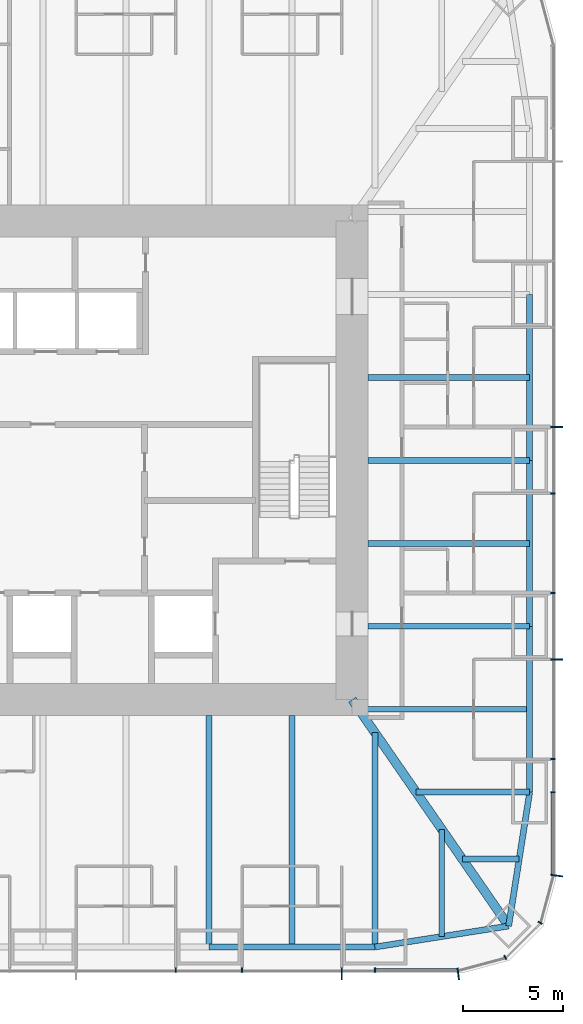
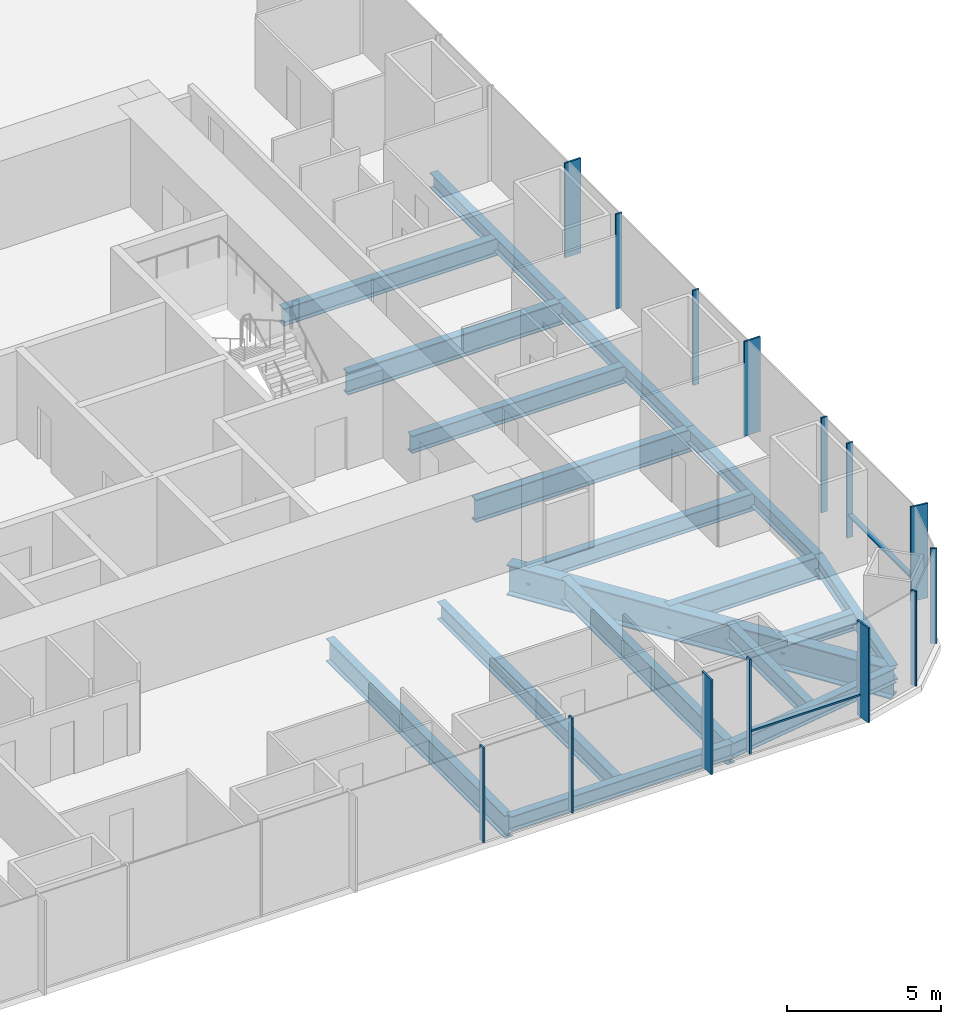
# One storey, part 4 of 13: 18 beams, 16 members, 3 elements without a shape of their own.
"""IFC4 building model written with IfcOpenShell, lengths in metres."""

from ifc_helpers import new_model, si_unit, direction, frame, origin, origin_2d, place, context, subcontext, project, spatial, rectangle, i_section, extrude, material, material_profile, profile_set, type_object, element, aggregate, save


model = new_model("IFC4")

# Units and contexts
model_context = context("Model", 3, precision=1e-05, world=origin(), true_north=direction((0.0, 1.0)))
body_context = subcontext(model_context, "Body", "Model", "MODEL_VIEW")
ifc_project = project(units=[si_unit("LENGTHUNIT", "METRE"), si_unit("AREAUNIT", "SQUARE_METRE"), si_unit("VOLUMEUNIT", "CUBIC_METRE"), si_unit("PLANEANGLEUNIT", "RADIAN"), si_unit("MASSUNIT", "GRAM", prefix="KILO")], contexts=[model_context])

# Site, building, storey
site_placement = place(None, origin())
site = spatial("IfcSite", under=ifc_project, at=site_placement, CompositionType="ELEMENT")
building_placement = place(site_placement, origin())
building = spatial("IfcBuilding", under=site, at=building_placement, Name="Khuree Lantern Residences", CompositionType="ELEMENT")
storey_placement = place(building_placement, frame((0.0, 0.0, 263.25)))
storey = spatial("IfcBuildingStorey", under=building, at=storey_placement, Name="L66", CompositionType="ELEMENT", Elevation=263.25)

# Beams
ifc_material_1 = material(Name="Steel S355", Category="steel")
ifc_material_profile_1 = material_profile(ifc_material_1, i_section(OverallWidth=0.300048828125, OverallDepth=0.68994140625, WebThickness=0.014404296875, FlangeThickness=0.027099609375, FilletRadius=0.027099609375, at=origin_2d()), Name="HE 700 A")
ifc_profile_set_1 = profile_set([ifc_material_profile_1], Name="Steel S355")
beam_type_1 = type_object("IfcBeamType", Name="B-35 SECONDARY BEAM HE 700 A", PredefinedType="BEAM", material=ifc_profile_set_1)
for number, where, z_axis, x_axis, name in (
    (1, (24.39990234375, 4.159912109375, -0.594970703125), (-1.0, 0.0, 0.0), (0.0, -1.0, 0.0), "Secondary beam E3"),
    (2, (24.39990234375, -4.159912109375, -0.594970703125), (-1.0, 0.0, 0.0), (0.0, -1.0, 0.0), "Secondary beam E4"),
):
    element("IfcBeam", number, at=place(storey_placement, frame(where, z_axis=z_axis, x_axis=x_axis)), inside=storey, type_object=beam_type_1, Name=name, PredefinedType="BEAM", context=body_context, shape_type="SweptSolid", body=[
        extrude(i_section(OverallWidth=0.300048828125, OverallDepth=0.68994140625, WebThickness=0.014404296875, FlangeThickness=0.027099609375, FilletRadius=0.027099609375, at=origin_2d()), origin(), (0.0, 0.0, 1.0), 8.099853515625),
    ])
beam_1_placement = place(storey_placement, frame((24.39990234375, -12.47998046875, -0.594970703125), z_axis=(-1.0, 0.0, 0.0), x_axis=(0.0, -1.0, 0.0)))
element("IfcBeam", 3, at=beam_1_placement, inside=storey, type_object=beam_type_1, Name="Secondary beam E5", PredefinedType="BEAM", context=body_context, shape_type="SweptSolid", body=[
    extrude(i_section(OverallWidth=0.300048828125, OverallDepth=0.68994140625, WebThickness=0.014404296875, FlangeThickness=0.027099609375, FilletRadius=0.027099609375, at=origin_2d()), origin(), (0.0, 0.0, 1.0), 8.56787109375),
])
beam_2_placement = place(storey_placement, frame((23.872802734375, -19.992919921875, -0.594970703125), z_axis=(-1.0, 0.0, 0.0), x_axis=(0.0, -1.0, 0.0)))
element("IfcBeam", 4, at=beam_2_placement, inside=storey, type_object=beam_type_1, Name="Secondary beam E6", PredefinedType="BEAM", context=body_context, shape_type="SweptSolid", body=[
    extrude(i_section(OverallWidth=0.300048828125, OverallDepth=0.68994140625, WebThickness=0.014404296875, FlangeThickness=0.027099609375, FilletRadius=0.027099609375, at=origin_2d()), origin(), (0.0, 0.0, 1.0), 2.845703125),
])
beam_3_placement = place(storey_placement, frame((19.992919921875, -23.872802734375, -0.594970703125), z_axis=(0.0, 1.0, 0.0), x_axis=(-1.0, 0.0, 0.0)))
element("IfcBeam", 5, at=beam_3_placement, inside=storey, type_object=beam_type_1, Name="Secondary beam S1", PredefinedType="BEAM", context=body_context, shape_type="SweptSolid", body=[
    extrude(i_section(OverallWidth=0.300048828125, OverallDepth=0.68994140625, WebThickness=0.014404296875, FlangeThickness=0.027099609375, FilletRadius=0.027099609375, at=origin_2d()), origin(), (0.0, 0.0, 1.0), 5.375732421875),
])
beam_4_placement = place(storey_placement, frame((12.47998046875, -24.39990234375, -0.594970703125), z_axis=(0.0, 1.0, 0.0), x_axis=(-1.0, 0.0, 0.0)))
element("IfcBeam", 6, at=beam_4_placement, inside=storey, type_object=beam_type_1, Name="Secondary beam S2", PredefinedType="BEAM", context=body_context, shape_type="SweptSolid", body=[
    extrude(i_section(OverallWidth=0.300048828125, OverallDepth=0.68994140625, WebThickness=0.014404296875, FlangeThickness=0.027099609375, FilletRadius=0.027099609375, at=origin_2d()), origin(), (0.0, 0.0, 1.0), 11.599853515625),
])
ifc_material_profile_2 = material_profile(ifc_material_1, i_section(OverallWidth=0.300048828125, OverallDepth=0.590087890625, WebThickness=0.012939453125, FlangeThickness=0.02490234375, FilletRadius=0.027099609375, at=origin_2d()), Name="HE 600 A")
ifc_profile_set_2 = profile_set([ifc_material_profile_2], Name="Steel S355")
beam_type_2 = type_object("IfcBeamType", Name="E-35 SPANDREL BEAM HE 600 A", PredefinedType="SPANDREL", material=ifc_profile_set_2)
for number, where, z_axis, x_axis, name in (
    (7, (24.39990234375, 8.320068359375, -0.544921875), (0.0, -1.0, 0.0), (1.0, 0.0, 0.0), "Spandrel beam E3"),
    (8, (24.39990234375, 0.0, -0.544921875), (0.0, -1.0, 0.0), (1.0, 0.0, 0.0), "Spandrel beam E4"),
):
    element("IfcBeam", number, at=place(storey_placement, frame(where, z_axis=z_axis, x_axis=x_axis)), inside=storey, type_object=beam_type_2, Name=name, PredefinedType="SPANDREL", context=body_context, shape_type="SweptSolid", body=[
        extrude(i_section(OverallWidth=0.300048828125, OverallDepth=0.590087890625, WebThickness=0.012939453125, FlangeThickness=0.02490234375, FilletRadius=0.027099609375, at=origin_2d()), origin(), (0.0, 0.0, 1.0), 8.320068359375),
    ])
beam_5_placement = place(storey_placement, frame((24.39990234375, -8.320068359375, -0.544921875), z_axis=(0.0, -1.0, 0.0), x_axis=(1.0, 0.0, 0.0)))
element("IfcBeam", 9, at=beam_5_placement, inside=storey, type_object=beam_type_2, Name="Spandrel beam E5", PredefinedType="SPANDREL", context=body_context, shape_type="SweptSolid", body=[
    extrude(i_section(OverallWidth=0.300048828125, OverallDepth=0.590087890625, WebThickness=0.012939453125, FlangeThickness=0.02490234375, FilletRadius=0.027099609375, at=origin_2d()), origin(), (0.0, 0.0, 1.0), 8.31982421875),
])
for number, where, z_axis, x_axis, name in (
    (10, (24.39990234375, -16.639892578125, -0.544921875), (-0.155299507442, -0.98786743189, 0.0), (0.98786743189, -0.155299507442, 0.0), "Spandrel beam E6"),
    (11, (23.345703125, -23.345703125, -0.544921875), (-0.98786743189, -0.155299507442, 0.0), (0.155299507442, -0.98786743189, 0.0), "Spandrel beam S1"),
):
    element("IfcBeam", number, at=place(storey_placement, frame(where, z_axis=z_axis, x_axis=x_axis)), inside=storey, type_object=beam_type_2, Name=name, PredefinedType="SPANDREL", context=body_context, shape_type="SweptSolid", body=[
        extrude(i_section(OverallWidth=0.300048828125, OverallDepth=0.590087890625, WebThickness=0.012939453125, FlangeThickness=0.02490234375, FilletRadius=0.027099609375, at=origin_2d()), origin(), (0.0, 0.0, 1.0), 6.7880859375),
    ])
beam_6_placement = place(storey_placement, frame((16.639892578125, -24.39990234375, -0.544921875), z_axis=(-1.0, 0.0, 0.0), x_axis=(0.0, -1.0, 0.0)))
element("IfcBeam", 12, at=beam_6_placement, inside=storey, type_object=beam_type_2, Name="Spandrel beam S2", PredefinedType="SPANDREL", context=body_context, shape_type="SweptSolid", body=[
    extrude(i_section(OverallWidth=0.300048828125, OverallDepth=0.590087890625, WebThickness=0.012939453125, FlangeThickness=0.02490234375, FilletRadius=0.027099609375, at=origin_2d()), origin(), (0.0, 0.0, 1.0), 8.31982421875),
])

# Curtain wall, member
ifc_material_2 = material(Name="Bronze anodised aluminium", Category="aluminium")
curtain_wall_type_1 = type_object("IfcCurtainWallType", Name="CW-T2 TOWER CORNER CURTAIN WALL", PredefinedType="USERDEFINED", material=ifc_material_2)
curtain_wall_1_placement = place(storey_placement, origin())
curtain_wall_1 = element("IfcCurtainWall", 13, at=curtain_wall_1_placement, inside=storey, type_object=curtain_wall_type_1, Name="L66 SOUTH-EAST CORNER CURTAIN WALL", ObjectType="Faceted corner curtain wall", PredefinedType="USERDEFINED")
ifc_material_profile_3 = material_profile(ifc_material_2, rectangle(XDim=0.06494140625, YDim=0.60009765625, at=origin_2d()), Name="F1 65X600")
ifc_profile_set_3 = profile_set([ifc_material_profile_3], Name="Bronze anodised aluminium")
member_type_1 = type_object("IfcMemberType", Name="F1 BRONZE FIN MULLION TOWER 65X600", PredefinedType="MULLION", material=ifc_profile_set_3)
member_1_placement = place(storey_placement, frame((20.81982421875, -25.75, 0.0), z_axis=(0.0, 0.0, 1.0), x_axis=(0.991444862943, 0.130526180298, 0.0)))
member_1 = element("IfcMember", 14, at=member_1_placement, type_object=member_type_1, Name="L66 SOUTH-EAST CORNER FIN MULLION 1", PredefinedType="MULLION", context=body_context, shape_type="SweptSolid", body=[
    extrude(rectangle(XDim=0.06494140625, YDim=0.60009765625, at=origin_2d()), origin(), (0.0, 0.0, 1.0), 3.75),
])

# Curtain wall, members
curtain_wall_type_2 = type_object("IfcCurtainWallType", Name="CW-T1 TOWER FACE CURTAIN WALL", PredefinedType="USERDEFINED", material=ifc_material_2)
curtain_wall_2_placement = place(storey_placement, origin())
curtain_wall_2 = element("IfcCurtainWall", 15, at=curtain_wall_2_placement, inside=storey, type_object=curtain_wall_type_2, Name="L66 EAST FACE CURTAIN WALL", ObjectType="Stick-built curtain wall", PredefinedType="USERDEFINED")
member_2_placement = place(storey_placement, frame((25.75, -20.81982421875, 0.0), z_axis=(0.0, 0.0, 1.0), x_axis=(0.130526180298, 0.991444862943, 0.0)))
member_2 = element("IfcMember", 16, at=member_2_placement, type_object=member_type_1, Name="L66 EAST FACE FIN MULLION 4", PredefinedType="MULLION", context=body_context, shape_type="SweptSolid", body=[
    extrude(rectangle(XDim=0.06494140625, YDim=0.60009765625, at=origin_2d()), origin(), (0.0, 0.0, 1.0), 3.75),
])
member_3_placement = place(storey_placement, frame((25.75, -9.98388671875, 0.0), z_axis=(0.0, 0.0, 1.0), x_axis=(0.0, 1.0, 0.0)))
member_3 = element("IfcMember", 17, at=member_3_placement, type_object=member_type_1, Name="L66 EAST FACE FIN MULLION 7", PredefinedType="MULLION", context=body_context, shape_type="SweptSolid", body=[
    extrude(rectangle(XDim=0.06494140625, YDim=0.60009765625, at=origin_2d()), origin(), (0.0, 0.0, 1.0), 3.75),
])
member_4_placement = place(storey_placement, frame((25.75, 1.6640625, 0.0), z_axis=(0.0, 0.0, 1.0), x_axis=(0.0, 1.0, 0.0)))
member_4 = element("IfcMember", 18, at=member_4_placement, type_object=member_type_1, Name="L66 EAST FACE FIN MULLION 10", PredefinedType="MULLION", context=body_context, shape_type="SweptSolid", body=[
    extrude(rectangle(XDim=0.06494140625, YDim=0.60009765625, at=origin_2d()), origin(), (0.0, 0.0, 1.0), 3.75),
])

# Curtain wall, member
curtain_wall_3_placement = place(storey_placement, origin())
curtain_wall_3 = element("IfcCurtainWall", 19, at=curtain_wall_3_placement, inside=storey, type_object=curtain_wall_type_2, Name="L66 SOUTH FACE CURTAIN WALL", ObjectType="Stick-built curtain wall", PredefinedType="USERDEFINED")
member_5_placement = place(storey_placement, frame((14.97607421875, -25.75, 0.0), z_axis=(0.0, 0.0, 1.0), x_axis=(1.0, 0.0, 0.0)))
member_5 = element("IfcMember", 20, at=member_5_placement, type_object=member_type_1, Name="L66 SOUTH FACE FIN MULLION 55", PredefinedType="MULLION", context=body_context, shape_type="SweptSolid", body=[
    extrude(rectangle(XDim=0.06494140625, YDim=0.60009765625, at=origin_2d()), origin(), (0.0, 0.0, 1.0), 3.75),
])

# Beams
ifc_material_profile_4 = material_profile(ifc_material_1, i_section(OverallWidth=0.300048828125, OverallDepth=0.89990234375, WebThickness=0.0185546875, FlangeThickness=0.034912109375, FilletRadius=0.030029296875, at=origin_2d()), Name="HE 900 B")
ifc_profile_set_4 = profile_set([ifc_material_profile_4], Name="Steel S355")
beam_type_3 = type_object("IfcBeamType", Name="G-35 GIRDER HE 900 B", PredefinedType="BEAM", material=ifc_profile_set_4)
for number, where, z_axis, x_axis, name in (
    (21, (24.39990234375, 0.0, -0.699951171875), (-1.0, 0.0, 0.0), (0.0, -1.0, 0.0), "Girder E3"),
    (22, (24.39990234375, -8.320068359375, -0.699951171875), (-1.0, 0.0, 0.0), (0.0, -1.0, 0.0), "Girder E4"),
):
    element("IfcBeam", number, at=place(storey_placement, frame(where, z_axis=z_axis, x_axis=x_axis)), inside=storey, type_object=beam_type_3, Name=name, PredefinedType="BEAM", context=body_context, shape_type="SweptSolid", body=[
        extrude(i_section(OverallWidth=0.300048828125, OverallDepth=0.89990234375, WebThickness=0.0185546875, FlangeThickness=0.034912109375, FilletRadius=0.030029296875, at=origin_2d()), origin(), (0.0, 0.0, 1.0), 8.099853515625),
    ])
beam_7_placement = place(storey_placement, frame((24.39990234375, -16.639892578125, -0.699951171875), z_axis=(-1.0, 0.0, 0.0), x_axis=(0.0, -1.0, 0.0)))
element("IfcBeam", 23, at=beam_7_placement, inside=storey, type_object=beam_type_3, Name="Girder E5", PredefinedType="BEAM", context=body_context, shape_type="SweptSolid", body=[
    extrude(i_section(OverallWidth=0.300048828125, OverallDepth=0.89990234375, WebThickness=0.0185546875, FlangeThickness=0.034912109375, FilletRadius=0.030029296875, at=origin_2d()), origin(), (0.0, 0.0, 1.0), 5.69140625),
])
beam_8_placement = place(storey_placement, frame((16.639892578125, -24.39990234375, -0.699951171875), z_axis=(0.0, 1.0, 0.0), x_axis=(-1.0, 0.0, 0.0)))
element("IfcBeam", 24, at=beam_8_placement, inside=storey, type_object=beam_type_3, Name="Girder S1", PredefinedType="BEAM", context=body_context, shape_type="SweptSolid", body=[
    extrude(i_section(OverallWidth=0.300048828125, OverallDepth=0.89990234375, WebThickness=0.0185546875, FlangeThickness=0.034912109375, FilletRadius=0.030029296875, at=origin_2d()), origin(), (0.0, 0.0, 1.0), 10.751220703125),
])
beam_9_placement = place(storey_placement, frame((8.320068359375, -24.39990234375, -0.699951171875), z_axis=(0.0, 1.0, 0.0), x_axis=(-1.0, 0.0, 0.0)))
element("IfcBeam", 25, at=beam_9_placement, inside=storey, type_object=beam_type_3, Name="Girder S2", PredefinedType="BEAM", context=body_context, shape_type="SweptSolid", body=[
    extrude(i_section(OverallWidth=0.300048828125, OverallDepth=0.89990234375, WebThickness=0.0185546875, FlangeThickness=0.034912109375, FilletRadius=0.030029296875, at=origin_2d()), origin(), (0.0, 0.0, 1.0), 11.599853515625),
])
ifc_material_profile_5 = material_profile(ifc_material_1, i_section(OverallWidth=0.449951171875, OverallDepth=1.199951171875, WebThickness=0.02490234375, FlangeThickness=0.044921875, at=origin_2d()), Name="WELDED I 1200X450X25X45")
ifc_profile_set_5 = profile_set([ifc_material_profile_5], Name="Steel S355")
beam_type_4 = type_object("IfcBeamType", Name="GD-35 CORNER GIRDER WELDED I 1200X450X25X45", PredefinedType="BEAM", material=ifc_profile_set_5)
beam_10_placement = place(storey_placement, frame((23.345703125, -23.345703125, -0.85009765625), z_axis=(-0.56876813501, 0.822497907959, 0.0), x_axis=(-0.822497907959, -0.56876813501, 0.0)))
element("IfcBeam", 26, at=beam_10_placement, inside=storey, type_object=beam_type_4, Name="Corner girder SE", PredefinedType="BEAM", context=body_context, shape_type="SweptSolid", body=[
    extrude(i_section(OverallWidth=0.449951171875, OverallDepth=1.199951171875, WebThickness=0.02490234375, FlangeThickness=0.044921875, at=origin_2d()), origin(), (0.0, 0.0, 1.0), 13.794189453125),
])

# Member
ifc_material_profile_6 = material_profile(ifc_material_2, rectangle(XDim=0.06494140625, YDim=0.219970703125, at=origin_2d()), Name="M1 65X220")
ifc_profile_set_6 = profile_set([ifc_material_profile_6], Name="Bronze anodised aluminium")
member_type_2 = type_object("IfcMemberType", Name="M1 BRONZE MULLION TOWER 65X220", PredefinedType="MULLION", material=ifc_profile_set_6)
member_6_placement = place(storey_placement, frame((23.179931640625, -24.92236328125, 0.0), z_axis=(0.0, 0.0, 1.0), x_axis=(0.866025409797, 0.499999989586, 0.0)))
member_6 = element("IfcMember", 27, at=member_6_placement, type_object=member_type_2, Name="L66 SOUTH-EAST CORNER MULLION 2", PredefinedType="MULLION", context=body_context, shape_type="SweptSolid", body=[
    extrude(rectangle(XDim=0.06494140625, YDim=0.219970703125, at=origin_2d()), origin(), (0.0, 0.0, 1.0), 3.75),
])

member_7_placement = place(storey_placement, frame((24.92236328125, -23.179931640625, 0.0), z_axis=(0.0, 0.0, 1.0), x_axis=(0.499999989586, 0.866025409797, 0.0)))
member_7 = element("IfcMember", 28, at=member_7_placement, type_object=member_type_2, Name="L66 SOUTH-EAST CORNER MULLION 3", PredefinedType="MULLION", context=body_context, shape_type="SweptSolid", body=[
    extrude(rectangle(XDim=0.06494140625, YDim=0.219970703125, at=origin_2d()), origin(), (0.0, 0.0, 1.0), 3.75),
])

aggregate(curtain_wall_1, [member_1, member_6, member_7])

member_8_placement = place(storey_placement, frame((25.56005859375, -16.639892578125, 0.0), z_axis=(0.0, 0.0, 1.0), x_axis=(0.0, 1.0, 0.0)))
member_8 = element("IfcMember", 29, at=member_8_placement, type_object=member_type_2, Name="L66 EAST FACE MULLION 5", PredefinedType="MULLION", context=body_context, shape_type="SweptSolid", body=[
    extrude(rectangle(XDim=0.06494140625, YDim=0.219970703125, at=origin_2d()), origin(), (0.0, 0.0, 1.0), 3.75),
])

member_9_placement = place(storey_placement, frame((25.56005859375, -14.97607421875, 0.0), z_axis=(0.0, 0.0, 1.0), x_axis=(0.0, 1.0, 0.0)))
member_9 = element("IfcMember", 30, at=member_9_placement, type_object=member_type_2, Name="L66 EAST FACE MULLION 6", PredefinedType="MULLION", context=body_context, shape_type="SweptSolid", body=[
    extrude(rectangle(XDim=0.06494140625, YDim=0.219970703125, at=origin_2d()), origin(), (0.0, 0.0, 1.0), 3.75),
])

member_10_placement = place(storey_placement, frame((25.56005859375, -6.656005859375, 0.0), z_axis=(0.0, 0.0, 1.0), x_axis=(0.0, 1.0, 0.0)))
member_10 = element("IfcMember", 31, at=member_10_placement, type_object=member_type_2, Name="L66 EAST FACE MULLION 8", PredefinedType="MULLION", context=body_context, shape_type="SweptSolid", body=[
    extrude(rectangle(XDim=0.06494140625, YDim=0.219970703125, at=origin_2d()), origin(), (0.0, 0.0, 1.0), 3.75),
])

member_11_placement = place(storey_placement, frame((25.56005859375, -1.6640625, 0.0), z_axis=(0.0, 0.0, 1.0), x_axis=(0.0, 1.0, 0.0)))
member_11 = element("IfcMember", 32, at=member_11_placement, type_object=member_type_2, Name="L66 EAST FACE MULLION 9", PredefinedType="MULLION", context=body_context, shape_type="SweptSolid", body=[
    extrude(rectangle(XDim=0.06494140625, YDim=0.219970703125, at=origin_2d()), origin(), (0.0, 0.0, 1.0), 3.75),
])

member_12_placement = place(storey_placement, frame((6.656005859375, -25.56005859375, 0.0), z_axis=(0.0, 0.0, 1.0), x_axis=(1.0, 0.0, 0.0)))
member_12 = element("IfcMember", 33, at=member_12_placement, type_object=member_type_2, Name="L66 SOUTH FACE MULLION 53", PredefinedType="MULLION", context=body_context, shape_type="SweptSolid", body=[
    extrude(rectangle(XDim=0.06494140625, YDim=0.219970703125, at=origin_2d()), origin(), (0.0, 0.0, 1.0), 3.75),
])

member_13_placement = place(storey_placement, frame((9.98388671875, -25.56005859375, 0.0), z_axis=(0.0, 0.0, 1.0), x_axis=(1.0, 0.0, 0.0)))
member_13 = element("IfcMember", 34, at=member_13_placement, type_object=member_type_2, Name="L66 SOUTH FACE MULLION 54", PredefinedType="MULLION", context=body_context, shape_type="SweptSolid", body=[
    extrude(rectangle(XDim=0.06494140625, YDim=0.219970703125, at=origin_2d()), origin(), (0.0, 0.0, 1.0), 3.75),
])

member_14_placement = place(storey_placement, frame((16.639892578125, -25.56005859375, 0.0), z_axis=(0.0, 0.0, 1.0), x_axis=(1.0, 0.0, 0.0)))
member_14 = element("IfcMember", 35, at=member_14_placement, type_object=member_type_2, Name="L66 SOUTH FACE MULLION 56", PredefinedType="MULLION", context=body_context, shape_type="SweptSolid", body=[
    extrude(rectangle(XDim=0.06494140625, YDim=0.219970703125, at=origin_2d()), origin(), (0.0, 0.0, 1.0), 3.75),
])

ifc_material_profile_7 = material_profile(ifc_material_2, rectangle(XDim=0.179931640625, YDim=0.06494140625, at=origin_2d()), Name="T1 180X65")
ifc_profile_set_7 = profile_set([ifc_material_profile_7], Name="Bronze anodised aluminium")
member_type_3 = type_object("IfcMemberType", Name="TRANSOM T1 TOWER 180X65", PredefinedType="USERDEFINED", material=ifc_profile_set_7)
member_15_placement = place(storey_placement, frame((25.570068359375, -20.75146484375, 0.89990234375), z_axis=(0.0, 1.0, 0.0), x_axis=(-1.0, 0.0, 0.0)))
member_15 = element("IfcMember", 36, at=member_15_placement, type_object=member_type_3, Name="L66 EAST FACE TRANSOM 4.1", ObjectType="Transom", PredefinedType="USERDEFINED", context=body_context, shape_type="SweptSolid", body=[
    extrude(rectangle(XDim=0.179931640625, YDim=0.06494140625, at=origin_2d()), origin(), (0.0, 0.0, 1.0), 4.078857421875),
])

aggregate(curtain_wall_2, [member_2, member_8, member_9, member_3, member_10, member_11, member_4, member_15])

member_16_placement = place(storey_placement, frame((16.672607421875, -25.570068359375, 0.89990234375), z_axis=(1.0, 0.0, 0.0), x_axis=(0.0, 1.0, 0.0)))
member_16 = element("IfcMember", 37, at=member_16_placement, type_object=member_type_3, Name="L66 SOUTH FACE TRANSOM 56.1", ObjectType="Transom", PredefinedType="USERDEFINED", context=body_context, shape_type="SweptSolid", body=[
    extrude(rectangle(XDim=0.179931640625, YDim=0.06494140625, at=origin_2d()), origin(), (0.0, 0.0, 1.0), 4.078857421875),
])

aggregate(curtain_wall_3, [member_12, member_13, member_5, member_14, member_16])

save(model, "model.ifc")
